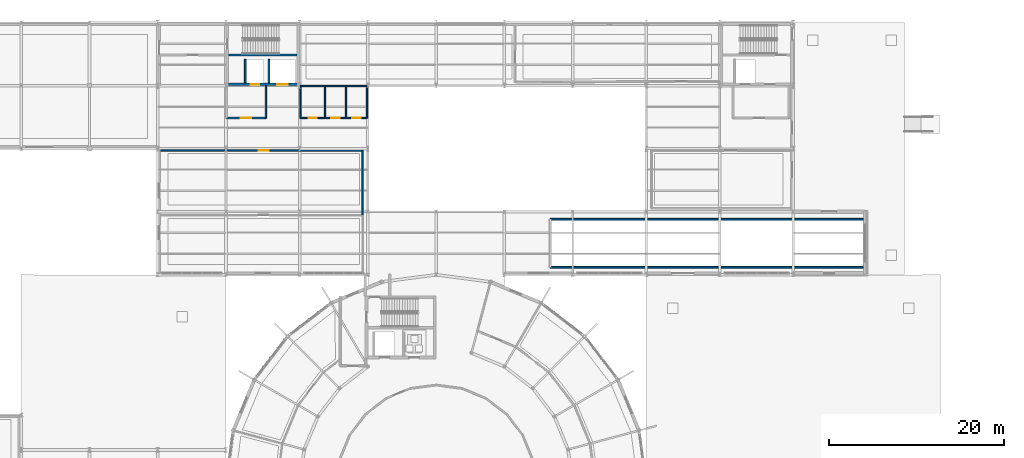
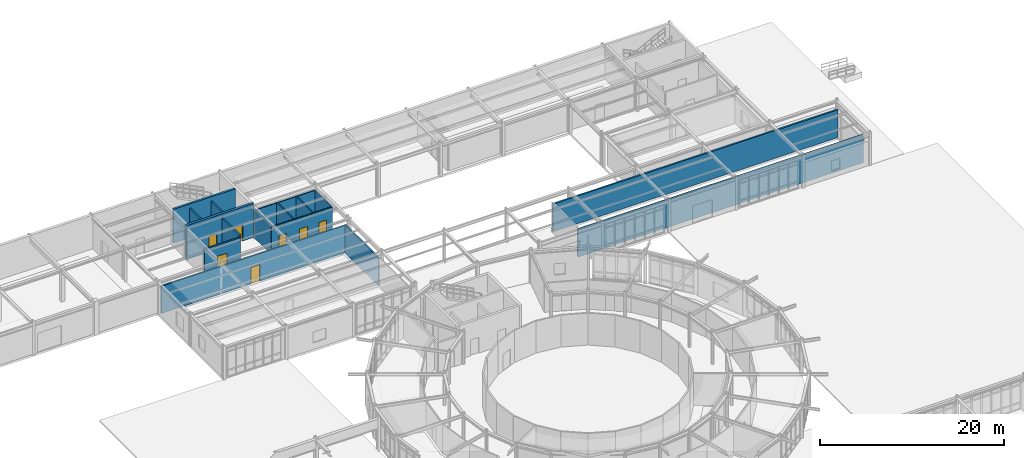
# One storey, part 86 of 101: 16 walls, 7 doors, 7 openings.
"""IFC4 building model written with IfcOpenShell, lengths in metres."""

from ifc_helpers import new_model, si_unit, derived_unit, direction, frame, frame_2d, origin, place, context, subcontext, project, spatial, rectangle, extrude, material, layer, layer_set, type_object, element, fill, save


model = new_model("IFC4")

# Units and contexts
model_context = context("Model", 3, precision=1e-05, world=origin(), true_north=direction((0.0, 1.0)))
body_context = subcontext(model_context, "Body", "Model", "MODEL_VIEW")
ifc_project = project(units=[si_unit("LENGTHUNIT", "METRE"), si_unit("AREAUNIT", "SQUARE_METRE"), si_unit("VOLUMEUNIT", "CUBIC_METRE"), si_unit("PLANEANGLEUNIT", "RADIAN"), si_unit("MASSUNIT", "GRAM", prefix="KILO"), derived_unit("THERMALTRANSMITTANCEUNIT", [(si_unit("POWERUNIT", "WATT"), 1), (si_unit("AREAUNIT", "SQUARE_METRE"), -1), (si_unit("THERMODYNAMICTEMPERATUREUNIT", "KELVIN"), -1)])], contexts=[model_context])

# Site, building, storey
site_placement = place(None, origin())
site = spatial("IfcSite", under=ifc_project, at=site_placement, CompositionType="ELEMENT")
building_placement = place(site_placement, origin())
building = spatial("IfcBuilding", under=site, at=building_placement, Name="Yasenodar Specialist Clinic", CompositionType="ELEMENT")
storey_placement = place(building_placement, origin())
storey = spatial("IfcBuildingStorey", under=building, at=storey_placement, Name="L00", CompositionType="ELEMENT", Elevation=0.0)

# Wall, opening, door
ifc_material_1 = material(Name="Fire-Rated Gypsum and Mineral-Wool Wall")
ifc_layer_1 = layer(ifc_material_1, 0.195068359375)
ifc_layer_set_1 = layer_set([ifc_layer_1], Name="Fire-Rated Gypsum and Mineral-Wool Wall")
wall_type_1 = type_object("IfcWallType", Name="IW-LOBBY-195", PredefinedType="PARTITIONING", material=ifc_layer_set_1)
wall_1_placement = place(storey_placement, frame((57.050048828125, 100.699951171875, 0.0), z_axis=(0.0, 0.0, 1.0), x_axis=(1.0, 0.0, 0.0)))
wall_1 = element("IfcWall", 1, at=wall_1_placement, inside=storey, type_object=wall_type_1, Name="L00 C4 Firefighting Lobby South Wall", PredefinedType="PARTITIONING", context=body_context, shape_type="SweptSolid", body=[
    extrude(rectangle(XDim=4.5, YDim=0.195068359375, at=frame_2d((2.25, 0.0))), origin(), (0.0, 0.0, 1.0), 3.6279296875),
])
opening_1_placement = place(wall_1_placement, frame((1.64990234375, 0.0, 0.0)))
opening_1 = element("IfcOpeningElement", 2, at=opening_1_placement, cuts=wall_1, Name="Opening FD-02", PredefinedType="OPENING", context=body_context, shape_type="SweptSolid", body=[
    extrude(rectangle(XDim=1.199951171875, YDim=2.14990234375, at=frame_2d((0.60009765625, 1.074951171875))), frame((0.0, 0.107421875, 0.0), z_axis=(0.0, -1.0, 0.0), x_axis=(1.0, 0.0, 0.0)), (0.0, 0.0, 1.0), 0.215087890625),
])
ifc_material_2 = material(Name="Fire-Rated Insulated Steel Door", Category="steel")
door_type_1 = type_object("IfcDoorType", Name="DR-FD-120", OperationType="NOTDEFINED", PredefinedType="DOOR", material=ifc_material_2)
door_1_placement = place(opening_1_placement, origin())
door_1 = element("IfcDoor", 3, at=door_1_placement, inside=storey, type_object=door_type_1, Name="L00 C4 Firefighting Lobby Door", OperationType="SINGLE_SWING_LEFT", OverallHeight=2.14990234375, OverallWidth=1.199951171875, PredefinedType="DOOR", context=body_context, shape_type="SweptSolid", body=[
    extrude(rectangle(XDim=1.199951171875, YDim=2.14990234375, at=frame_2d((0.60009765625, 1.074951171875))), frame((0.0, 0.02490234375, 0.0), z_axis=(0.0, -1.0, 0.0), x_axis=(1.0, 0.0, 0.0)), (0.0, 0.0, 1.0), 0.050048828125),
])
fill(opening_1, door_1)

# Wall
wall_2_placement = place(storey_placement, frame((61.550048828125, 100.699951171875, 0.0), z_axis=(0.0, 0.0, 1.0), x_axis=(0.0, 1.0, 0.0)))
element("IfcWall", 4, at=wall_2_placement, inside=storey, type_object=wall_type_1, Name="L00 C4 Firefighting Lobby East Wall", PredefinedType="PARTITIONING", context=body_context, shape_type="SweptSolid", body=[
    extrude(rectangle(XDim=3.699951171875, YDim=0.195068359375, at=frame_2d((1.85009765625, 0.0))), origin(), (0.0, 0.0, 1.0), 3.927978515625),
])

# Wall, opening, door
ifc_material_3 = material(Name="Hygienic Double-Stud Clinical Partition")
ifc_layer_2 = layer(ifc_material_3, 0.179931640625)
ifc_layer_set_2 = layer_set([ifc_layer_2], Name="Hygienic Double-Stud Clinical Partition")
wall_type_2 = type_object("IfcWallType", Name="IW-PROC-180", PredefinedType="PARTITIONING", material=ifc_layer_set_2)
wall_3_placement = place(storey_placement, frame((49.52001953125, 97.0, 0.0), z_axis=(0.0, 0.0, 1.0), x_axis=(1.0, 0.0, 0.0)))
wall_3 = element("IfcWall", 5, at=wall_3_placement, inside=storey, type_object=wall_type_2, Name="L00 Pre-Operative Assessment Clinic Partition", PredefinedType="PARTITIONING", context=body_context, shape_type="SweptSolid", body=[
    extrude(rectangle(XDim=23.080078125, YDim=0.179931640625, at=frame_2d((11.5400390625, 0.0))), origin(), (0.0, 0.0, 1.0), 3.6279296875),
])
opening_2_placement = place(wall_3_placement, frame((11.22998046875, 0.0, 0.0)))
opening_2 = element("IfcOpeningElement", 6, at=opening_2_placement, cuts=wall_3, Name="Opening D-05", PredefinedType="OPENING", context=body_context, shape_type="SweptSolid", body=[
    extrude(rectangle(XDim=1.1201171875, YDim=2.179931640625, at=frame_2d((0.56005859375, 1.08984375))), frame((0.0, 0.10009765625, 0.0), z_axis=(0.0, -1.0, 0.0), x_axis=(1.0, 0.0, 0.0)), (0.0, 0.0, 1.0), 0.199951171875),
])
ifc_material_4 = material(Name="Powder-Coated Steel and Acoustic Laminate Leaf", Category="steel")
door_type_2 = type_object("IfcDoorType", Name="DR-CLN-112", OperationType="NOTDEFINED", PredefinedType="DOOR", material=ifc_material_4)
door_2_placement = place(opening_2_placement, origin())
door_2 = element("IfcDoor", 7, at=door_2_placement, inside=storey, type_object=door_type_2, Name="L00 Pre-Operative Assessment Clinic Door", OperationType="SINGLE_SWING_RIGHT", OverallHeight=2.179931640625, OverallWidth=1.1201171875, PredefinedType="DOOR", context=body_context, shape_type="SweptSolid", body=[
    extrude(rectangle(XDim=1.1201171875, YDim=2.179931640625, at=frame_2d((0.56005859375, 1.08984375))), frame((0.0, 0.02490234375, 0.0), z_axis=(0.0, -1.0, 0.0), x_axis=(1.0, 0.0, 0.0)), (0.0, 0.0, 1.0), 0.050048828125),
])
fill(opening_2, door_2)

# Walls
wall_4_placement = place(storey_placement, frame((72.60009765625, 97.0, 0.0), z_axis=(0.0, 0.0, 1.0), x_axis=(0.0, -1.0, 0.0)))
element("IfcWall", 8, at=wall_4_placement, inside=storey, type_object=wall_type_2, Name="L00 Pre-Operative Assessment Clinic Partition", PredefinedType="PARTITIONING", context=body_context, shape_type="SweptSolid", body=[
    extrude(rectangle(XDim=7.362548828125, YDim=0.179931640625, at=frame_2d((3.68115234375, 0.0))), origin(), (0.0, 0.0, 1.0), 3.72802734375),
])
ifc_material_5 = material(Name="Aerated Concrete Blockwork Fire Shaft Wall", Category="masonry")
ifc_layer_3 = layer(ifc_material_5, 0.205078125)
ifc_layer_set_3 = layer_set([ifc_layer_3], Name="Aerated Concrete Blockwork Fire Shaft Wall")
wall_type_3 = type_object("IfcWallType", Name="IW-SHAFT-205", PredefinedType="PARTITIONING", material=ifc_layer_set_3)
for number, where, z_axis, x_axis, name in (
    (9, (59.199951171875, 104.699951171875, 0.0), (0.0, 0.0, 1.0), (0.0, 1.0, 0.0), "L00 LF-02 Lift Shaft Side Wall"),
    (10, (61.89990234375, 104.699951171875, 0.0), (0.0, 0.0, 1.0), (0.0, 1.0, 0.0), "L00 LF-04 Lift Shaft Side Wall"),
):
    element("IfcWall", number, at=place(storey_placement, frame(where, z_axis=z_axis, x_axis=x_axis)), inside=storey, type_object=wall_type_3, Name=name, PredefinedType="PARTITIONING", context=body_context, shape_type="SweptSolid", body=[
        extrude(rectangle(XDim=2.699951171875, YDim=0.205078125, at=frame_2d((1.35009765625, 0.0))), origin(), (0.0, 0.0, 1.0), 4.22998046875),
    ])
for number, where, z_axis, x_axis, name in (
    (11, (94.050048828125, 83.64990234375, 0.0), (0.0, 0.0, 1.0), (1.0, 0.0, 0.0), "L00 Ramp RMP-01 South Enclosure Wall"),
    (12, (94.050048828125, 89.14990234375, 0.0), (0.0, 0.0, 1.0), (1.0, 0.0, 0.0), "L00 Ramp RMP-01 North Enclosure Wall"),
):
    element("IfcWall", number, at=place(storey_placement, frame(where, z_axis=z_axis, x_axis=x_axis)), inside=storey, type_object=wall_type_3, Name=name, PredefinedType="PARTITIONING", context=body_context, shape_type="SweptSolid", body=[
        extrude(rectangle(XDim=35.760009765625, YDim=0.205078125, at=frame_2d((17.8798828125, 0.0))), origin(), (0.0, 0.0, 1.0), 3.677978515625),
    ])
ifc_material_6 = material(Name="Moisture-Resistant Sanitary Partition")
ifc_layer_4 = layer(ifc_material_6, 0.139892578125)
ifc_layer_set_4 = layer_set([ifc_layer_4], Name="Moisture-Resistant Sanitary Partition")
wall_type_4 = type_object("IfcWallType", Name="IW-WET-140", PredefinedType="PARTITIONING", material=ifc_layer_set_4)
wall_5_placement = place(storey_placement, frame((65.5, 100.699951171875, 0.0), z_axis=(0.0, 0.0, 1.0), x_axis=(0.0, 1.0, 0.0)))
element("IfcWall", 13, at=wall_5_placement, inside=storey, type_object=wall_type_4, Name="L00 North Sanitary Block West Wall", PredefinedType="PARTITIONING", context=body_context, shape_type="SweptSolid", body=[
    extrude(rectangle(XDim=3.679931640625, YDim=0.139892578125, at=frame_2d((1.83984375, 0.0))), origin(), (0.0, 0.0, 1.0), 3.72802734375),
])
wall_6_placement = place(storey_placement, frame((65.39990234375, 104.35009765625, 0.0), z_axis=(0.0, 0.0, 1.0), x_axis=(1.0, 0.0, 0.0)))
element("IfcWall", 14, at=wall_6_placement, inside=storey, type_object=wall_type_4, Name="L00 North Sanitary Block North Wall", PredefinedType="PARTITIONING", context=body_context, shape_type="SweptSolid", body=[
    extrude(rectangle(XDim=7.7001953125, YDim=0.139892578125, at=frame_2d((3.85009765625, 0.0))), origin(), (0.0, 0.0, 1.0), 3.6279296875),
])
wall_7_placement = place(storey_placement, frame((73.10009765625, 100.699951171875, 0.0), z_axis=(0.0, 0.0, 1.0), x_axis=(0.0, 1.0, 0.0)))
element("IfcWall", 15, at=wall_7_placement, inside=storey, type_object=wall_type_4, Name="L00 North Sanitary Block East Wall", PredefinedType="PARTITIONING", context=body_context, shape_type="SweptSolid", body=[
    extrude(rectangle(XDim=3.650146484375, YDim=0.139892578125, at=frame_2d((1.8251953125, 0.0))), origin(), (0.0, 0.0, 1.0), 3.6279296875),
])
for number, where, z_axis, x_axis, name in (
    (16, (68.300048828125, 100.699951171875, 0.0), (0.0, 0.0, 1.0), (0.0, 1.0, 0.0), "L00 North Accessible WC Divider Wall"),
    (17, (70.699951171875, 100.699951171875, 0.0), (0.0, 0.0, 1.0), (0.0, 1.0, 0.0), "L00 North Patient and Staff WC Divider Wall"),
):
    element("IfcWall", number, at=place(storey_placement, frame(where, z_axis=z_axis, x_axis=x_axis)), inside=storey, type_object=wall_type_4, Name=name, PredefinedType="PARTITIONING", context=body_context, shape_type="SweptSolid", body=[
        extrude(rectangle(XDim=3.650146484375, YDim=0.139892578125, at=frame_2d((1.8251953125, 0.0))), origin(), (0.0, 0.0, 1.0), 3.72802734375),
    ])

# Wall, openings, doors
wall_8_placement = place(storey_placement, frame((65.5, 100.699951171875, 0.0), z_axis=(0.0, 0.0, 1.0), x_axis=(1.0, 0.0, 0.0)))
wall_8 = element("IfcWall", 18, at=wall_8_placement, inside=storey, type_object=wall_type_4, Name="L00 North Sanitary Block Corridor Wall", PredefinedType="PARTITIONING", context=body_context, shape_type="SweptSolid", body=[
    extrude(rectangle(XDim=7.60009765625, YDim=0.139892578125, at=frame_2d((3.800048828125, 0.0))), origin(), (0.0, 0.0, 1.0), 3.6279296875),
])
opening_3_placement = place(wall_8_placement, frame((0.919921875, 0.0, 0.0)))
opening_3 = element("IfcOpeningElement", 19, at=opening_3_placement, cuts=wall_8, Name="Opening D-01", PredefinedType="OPENING", context=body_context, shape_type="SweptSolid", body=[
    extrude(rectangle(XDim=0.949951171875, YDim=2.1201171875, at=frame_2d((0.47509765625, 1.06005859375))), frame((0.0, 0.080078125, 0.0), z_axis=(0.0, -1.0, 0.0), x_axis=(1.0, 0.0, 0.0)), (0.0, 0.0, 1.0), 0.159912109375),
])
opening_4_placement = place(wall_8_placement, frame((3.510009765625, 0.0, 0.0)))
opening_4 = element("IfcOpeningElement", 20, at=opening_4_placement, cuts=wall_8, Name="Opening D-02", PredefinedType="OPENING", context=body_context, shape_type="SweptSolid", body=[
    extrude(rectangle(XDim=0.97998046875, YDim=2.139892578125, at=frame_2d((0.489990234375, 1.06982421875))), frame((0.0, 0.080078125, 0.0), z_axis=(0.0, -1.0, 0.0), x_axis=(1.0, 0.0, 0.0)), (0.0, 0.0, 1.0), 0.159912109375),
])
opening_5_placement = place(wall_8_placement, frame((5.909912109375, 0.0, 0.0)))
opening_5 = element("IfcOpeningElement", 21, at=opening_5_placement, cuts=wall_8, Name="Opening D-02", PredefinedType="OPENING", context=body_context, shape_type="SweptSolid", body=[
    extrude(rectangle(XDim=0.97998046875, YDim=2.139892578125, at=frame_2d((0.489990234375, 1.06982421875))), frame((0.0, 0.080078125, 0.0), z_axis=(0.0, -1.0, 0.0), x_axis=(1.0, 0.0, 0.0)), (0.0, 0.0, 1.0), 0.159912109375),
])
door_type_3 = type_object("IfcDoorType", Name="DR-CLN-095", OperationType="NOTDEFINED", PredefinedType="DOOR", material=ifc_material_4)
door_3_placement = place(opening_3_placement, origin())
door_3 = element("IfcDoor", 22, at=door_3_placement, inside=storey, type_object=door_type_3, Name="L00 North Accessible WC Door", OperationType="SINGLE_SWING_RIGHT", OverallHeight=2.1201171875, OverallWidth=0.949951171875, PredefinedType="DOOR", context=body_context, shape_type="SweptSolid", body=[
    extrude(rectangle(XDim=0.949951171875, YDim=2.1201171875, at=frame_2d((0.47509765625, 1.06005859375))), frame((0.0, 0.02490234375, 0.0), z_axis=(0.0, -1.0, 0.0), x_axis=(1.0, 0.0, 0.0)), (0.0, 0.0, 1.0), 0.050048828125),
])
fill(opening_3, door_3)
door_type_4 = type_object("IfcDoorType", Name="DR-CLN-098", OperationType="NOTDEFINED", PredefinedType="DOOR", material=ifc_material_4)
door_4_placement = place(opening_4_placement, origin())
door_4 = element("IfcDoor", 23, at=door_4_placement, inside=storey, type_object=door_type_4, Name="L00 North Patient Washroom WC Door", OperationType="SINGLE_SWING_LEFT", OverallHeight=2.139892578125, OverallWidth=0.97998046875, PredefinedType="DOOR", context=body_context, shape_type="SweptSolid", body=[
    extrude(rectangle(XDim=0.97998046875, YDim=2.139892578125, at=frame_2d((0.489990234375, 1.06982421875))), frame((0.0, 0.02490234375, 0.0), z_axis=(0.0, -1.0, 0.0), x_axis=(1.0, 0.0, 0.0)), (0.0, 0.0, 1.0), 0.050048828125),
])
fill(opening_4, door_4)
door_5_placement = place(opening_5_placement, origin())
door_5 = element("IfcDoor", 24, at=door_5_placement, inside=storey, type_object=door_type_4, Name="L00 North Staff Washroom WC Door", OperationType="SINGLE_SWING_RIGHT", OverallHeight=2.139892578125, OverallWidth=0.97998046875, PredefinedType="DOOR", context=body_context, shape_type="SweptSolid", body=[
    extrude(rectangle(XDim=0.97998046875, YDim=2.139892578125, at=frame_2d((0.489990234375, 1.06982421875))), frame((0.0, 0.02490234375, 0.0), z_axis=(0.0, -1.0, 0.0), x_axis=(1.0, 0.0, 0.0)), (0.0, 0.0, 1.0), 0.050048828125),
])
fill(opening_5, door_5)

# Wall
ifc_material_7 = material(Name="Concrete C35/45", Category="concrete")
ifc_layer_5 = layer(ifc_material_7, 0.25)
ifc_layer_set_5 = layer_set([ifc_layer_5], Name="Concrete C35/45")
wall_type_5 = type_object("IfcWallType", Name="WL-CORE-250", PredefinedType="SHEAR", material=ifc_layer_set_5)
wall_9_placement = place(storey_placement, frame((57.300048828125, 107.89990234375, 0.0), z_axis=(0.0, 0.0, 1.0), x_axis=(1.0, 0.0, 0.0)))
element("IfcWall", 25, at=wall_9_placement, inside=storey, type_object=wall_type_5, Name="L00 Core C4 Central Spine Wall", PredefinedType="SHEAR", context=body_context, shape_type="SweptSolid", body=[
    extrude(rectangle(XDim=7.800048828125, YDim=0.25, at=frame_2d((3.89990234375, 0.0))), origin(), (0.0, 0.0, 1.0), 4.5),
])

# Wall, openings, doors
ifc_layer_6 = layer(ifc_material_7, 0.300048828125)
ifc_layer_set_6 = layer_set([ifc_layer_6], Name="Concrete C35/45")
wall_type_6 = type_object("IfcWallType", Name="WL-CORE-300", PredefinedType="SHEAR", material=ifc_layer_set_6)
wall_10_placement = place(storey_placement, frame((57.0, 104.550048828125, 0.0), z_axis=(0.0, 0.0, 1.0), x_axis=(1.0, 0.0, 0.0)))
wall_10 = element("IfcWall", 26, at=wall_10_placement, inside=storey, type_object=wall_type_6, Name="L00 Core C4 South Shear Wall", PredefinedType="SHEAR", context=body_context, shape_type="SweptSolid", body=[
    extrude(rectangle(XDim=8.39990234375, YDim=0.300048828125, at=frame_2d((4.199951171875, 0.0))), origin(), (0.0, 0.0, 1.0), 4.5),
])
opening_6_placement = place(wall_10_placement, frame((2.800048828125, 0.0, 0.0)))
opening_6 = element("IfcOpeningElement", 27, at=opening_6_placement, cuts=wall_10, Name="Opening LD-01", PredefinedType="OPENING", context=body_context, shape_type="SweptSolid", body=[
    extrude(rectangle(XDim=1.0, YDim=2.10009765625, at=frame_2d((0.5, 1.050048828125))), frame((0.0, 0.16015625, 0.0), z_axis=(0.0, -1.0, 0.0), x_axis=(1.0, 0.0, 0.0)), (0.0, 0.0, 1.0), 0.320068359375),
])
opening_7_placement = place(wall_10_placement, frame((5.85009765625, 0.0, 0.0)))
opening_7 = element("IfcOpeningElement", 28, at=opening_7_placement, cuts=wall_10, Name="Opening LD-02", PredefinedType="OPENING", context=body_context, shape_type="SweptSolid", body=[
    extrude(rectangle(XDim=1.199951171875, YDim=2.14990234375, at=frame_2d((0.60009765625, 1.074951171875))), frame((0.0, 0.16015625, 0.0), z_axis=(0.0, -1.0, 0.0), x_axis=(1.0, 0.0, 0.0)), (0.0, 0.0, 1.0), 0.320068359375),
])
door_type_5 = type_object("IfcDoorType", Name="DR-LD-100", OperationType="DOUBLE_DOOR_SLIDING", PredefinedType="DOOR", material=ifc_material_2)
door_6_placement = place(opening_6_placement, origin())
door_6 = element("IfcDoor", 29, at=door_6_placement, inside=storey, type_object=door_type_5, Name="L00 LF-02 Lift Landing Door", OperationType="DOUBLE_DOOR_SLIDING", OverallHeight=2.10009765625, OverallWidth=1.0, PredefinedType="DOOR", context=body_context, shape_type="SweptSolid", body=[
    extrude(rectangle(XDim=1.0, YDim=2.10009765625, at=frame_2d((0.5, 1.050048828125))), frame((0.0, 0.02490234375, 0.0), z_axis=(0.0, -1.0, 0.0), x_axis=(1.0, 0.0, 0.0)), (0.0, 0.0, 1.0), 0.050048828125),
])
fill(opening_6, door_6)
door_type_6 = type_object("IfcDoorType", Name="DR-LD-120", OperationType="DOUBLE_DOOR_SLIDING", PredefinedType="DOOR", material=ifc_material_2)
door_7_placement = place(opening_7_placement, origin())
door_7 = element("IfcDoor", 30, at=door_7_placement, inside=storey, type_object=door_type_6, Name="L00 LF-04 Lift Landing Door", OperationType="DOUBLE_DOOR_SLIDING", OverallHeight=2.14990234375, OverallWidth=1.199951171875, PredefinedType="DOOR", context=body_context, shape_type="SweptSolid", body=[
    extrude(rectangle(XDim=1.199951171875, YDim=2.14990234375, at=frame_2d((0.60009765625, 1.074951171875))), frame((0.0, 0.02490234375, 0.0), z_axis=(0.0, -1.0, 0.0), x_axis=(1.0, 0.0, 0.0)), (0.0, 0.0, 1.0), 0.050048828125),
])
fill(opening_7, door_7)

save(model, "model.ifc")
